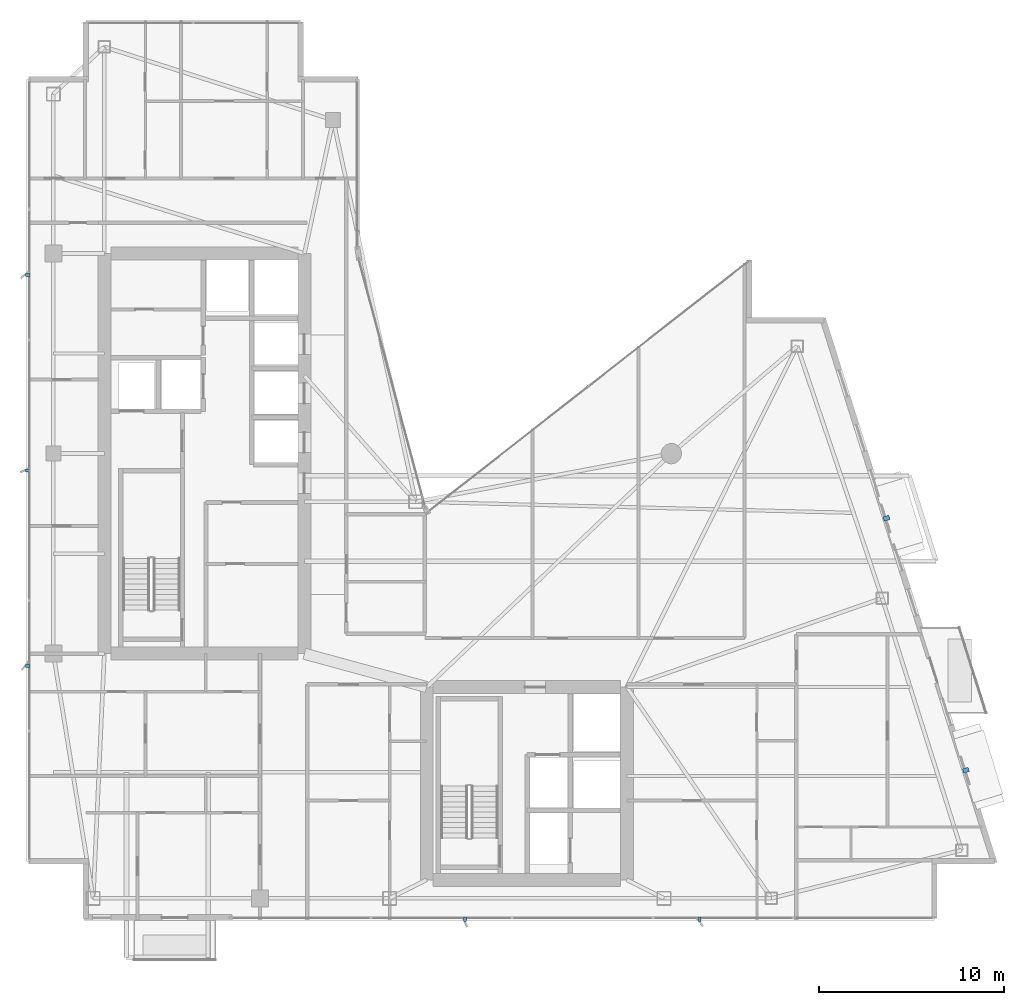
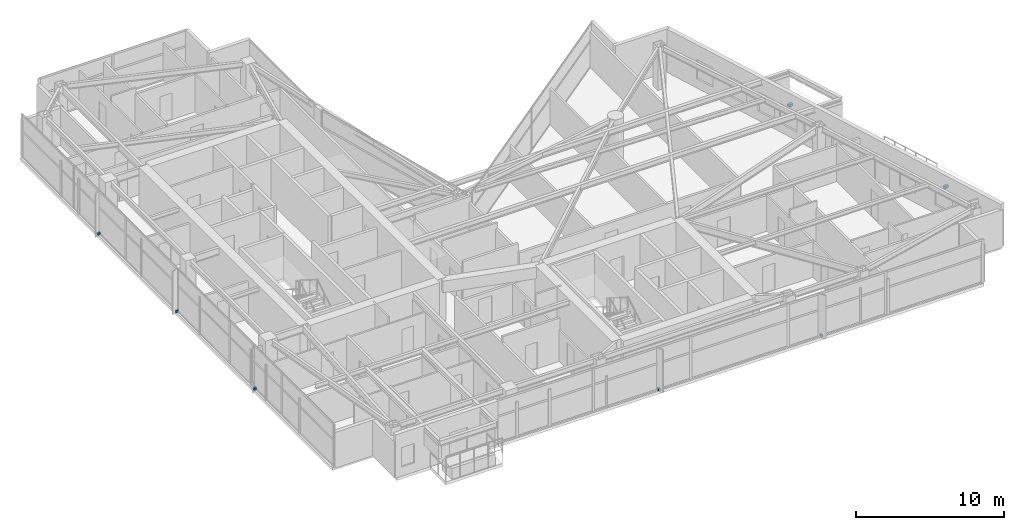
# One storey, part 28 of 30: 7 discrete accessories.
"""IFC4 building model written with IfcOpenShell, lengths in metres."""

from ifc_helpers import new_model, si_unit, direction, frame, origin, origin_2d, place, context, subcontext, project, spatial, rectangle, extrude, material, type_object, element, save


model = new_model("IFC4")

# Units and contexts
model_context = context("Model", 3, precision=1e-05, world=origin(), true_north=direction((0.0, 1.0)))
body_context = subcontext(model_context, "Body", "Model", "MODEL_VIEW")
ifc_project = project(units=[si_unit("LENGTHUNIT", "METRE"), si_unit("AREAUNIT", "SQUARE_METRE"), si_unit("VOLUMEUNIT", "CUBIC_METRE"), si_unit("PLANEANGLEUNIT", "RADIAN"), si_unit("MASSUNIT", "GRAM", prefix="KILO")], contexts=[model_context])

# Site, building, storey
site_placement = place(None, origin())
site = spatial("IfcSite", under=ifc_project, at=site_placement, CompositionType="ELEMENT")
building_placement = place(site_placement, origin())
building = spatial("IfcBuilding", under=site, at=building_placement, Name="Calvorn Quay Hotel", CompositionType="ELEMENT")
storey_placement = place(building_placement, frame((0.0, 0.0, 203.39990234375)))
storey = spatial("IfcBuildingStorey", under=building, at=storey_placement, Name="L50", CompositionType="ELEMENT", Elevation=203.39990234375)

# Discrete accessories
ifc_material = material(Name="Steel Q355B", Category="steel")
discrete_accessory_type = type_object("IfcDiscreteAccessoryType", Name="ACC-FIN-BRACKET", PredefinedType="BRACKET", material=ifc_material)
for number, where, z_axis, x_axis, name in (
    (1, (0.06005859375, 16.14990234375, 0.0302734375), (0.0, 0.0, 1.0), (1.0, 0.0, 0.0), "Fin Anchor Bracket L50-W01"),
    (2, (0.06005859375, 26.699951171875, 0.0302734375), (0.0, 0.0, 1.0), (1.0, 0.0, 0.0), "Fin Anchor Bracket L50-W02"),
    (3, (0.06005859375, 37.25, 0.0302734375), (0.0, 0.0, 1.0), (1.0, 0.0, 0.0), "Fin Anchor Bracket L50-W03"),
    (4, (23.6669921875, 2.4599609375, 0.0302734375), (0.0, 0.0, 1.0), (0.0, 1.0, 0.0), "Fin Anchor Bracket L50-S01"),
    (5, (36.3330078125, 2.4599609375, 0.0302734375), (0.0, 0.0, 1.0), (0.0, 1.0, 0.0), "Fin Anchor Bracket L50-S02"),
):
    element("IfcDiscreteAccessory", number, at=place(storey_placement, frame(where, z_axis=z_axis, x_axis=x_axis)), inside=storey, type_object=discrete_accessory_type, Name=name, PredefinedType="BRACKET", context=body_context, shape_type="SweptSolid", body=[
        extrude(rectangle(XDim=0.239990234375, YDim=0.159912109375, at=origin_2d()), origin(), (0.0, 0.0, 1.0), 0.179931640625),
    ])
for number, where, z_axis, x_axis, name in (
    (6, (50.695068359375, 10.511962890625, 2.3701171875), (0.0, 0.0, 1.0), (0.957319497532, 0.289031796944, 0.0), "Bay Hood Support Bracket L50-HOOD-1"),
    (7, (46.409912109375, 24.112060546875, 2.3701171875), (0.0, 0.0, 1.0), (0.957319497532, 0.289031796944, 0.0), "Bay Hood Support Bracket L50-HOOD-3"),
):
    element("IfcDiscreteAccessory", number, at=place(storey_placement, frame(where, z_axis=z_axis, x_axis=x_axis)), inside=storey, type_object=discrete_accessory_type, Name=name, PredefinedType="BRACKET", context=body_context, shape_type="SweptSolid", body=[
        extrude(rectangle(XDim=0.320068359375, YDim=0.239990234375, at=origin_2d()), origin(), (0.0, 0.0, 1.0), 0.199951171875),
    ])

save(model, "model.ifc")
